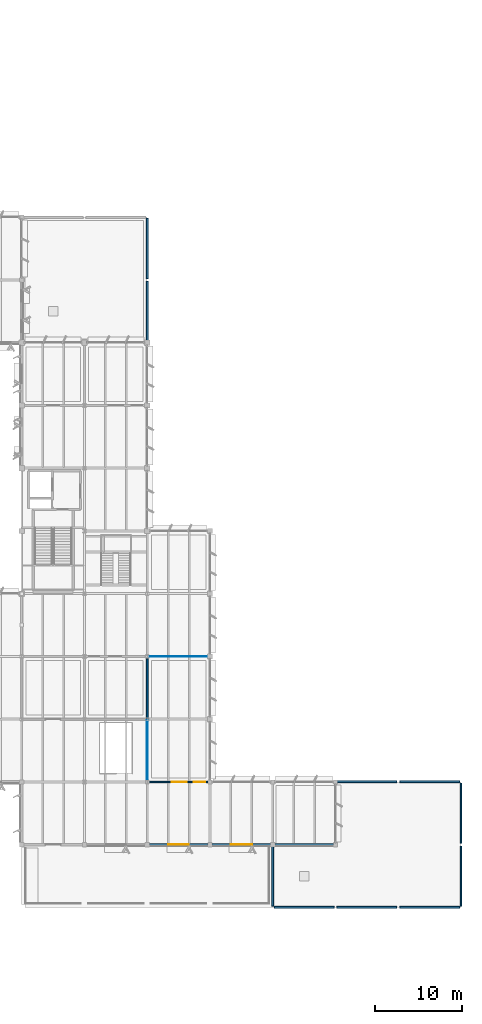
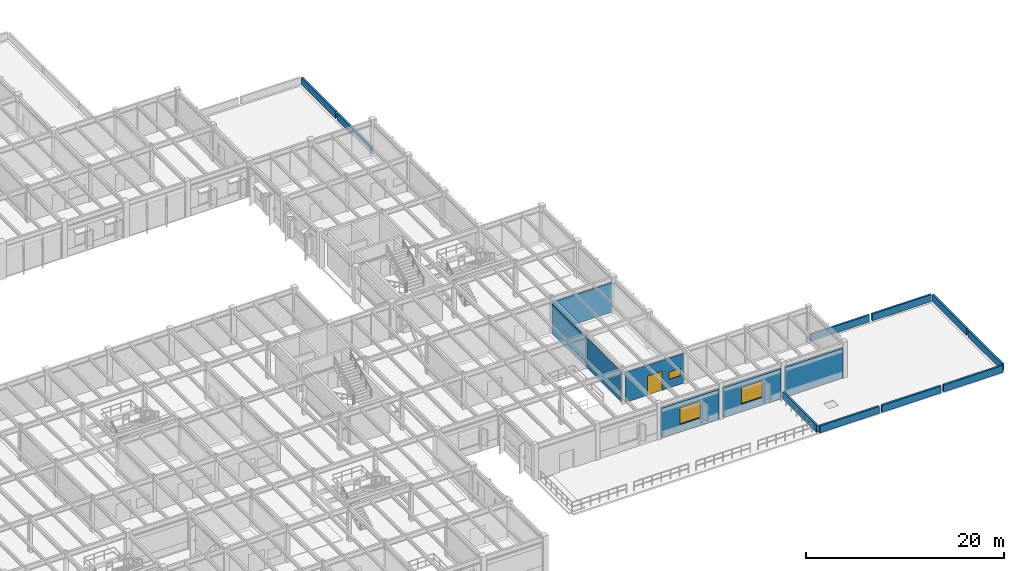
# One storey, part 42 of 92: 17 walls, 3 windows, 1 door, 4 openings.
"""IFC4 building model written with IfcOpenShell, lengths in metres."""

from ifc_helpers import new_model, si_unit, direction, frame, frame_2d, origin, place, context, subcontext, project, spatial, rectangle, extrude, material, layer, layer_set, type_object, element, fill, save


model = new_model("IFC4")

# Units and contexts
model_context = context("Model", 3, precision=1e-05, world=origin(), true_north=direction((0.0, 1.0)))
body_context = subcontext(model_context, "Body", "Model", "MODEL_VIEW")
ifc_project = project(units=[si_unit("LENGTHUNIT", "METRE"), si_unit("AREAUNIT", "SQUARE_METRE"), si_unit("VOLUMEUNIT", "CUBIC_METRE"), si_unit("PLANEANGLEUNIT", "RADIAN"), si_unit("MASSUNIT", "GRAM", prefix="KILO")], contexts=[model_context])

# Site, building, storey
site_placement = place(None, origin())
site = spatial("IfcSite", under=ifc_project, at=site_placement, CompositionType="ELEMENT")
building_placement = place(site_placement, origin())
building = spatial("IfcBuilding", under=site, at=building_placement, Name="Sillqori Civic Hall", CompositionType="ELEMENT")
storey_placement = place(building_placement, frame((0.0, 0.0, 5.39990234375)))
storey = spatial("IfcBuildingStorey", under=building, at=storey_placement, Name="L02", CompositionType="ELEMENT", Elevation=5.39990234375)

# Wall, opening, window
ifc_material_1 = material(Name="Precast concrete C40/50 (H40)", Category="concrete")
ifc_layer_1 = layer(ifc_material_1, 0.300048828125)
ifc_layer_set_1 = layer_set([ifc_layer_1], Name="Precast concrete C40/50 (H40)")
wall_type_1 = type_object("IfcWallType", Name="EW-LIME-300", PredefinedType="SOLIDWALL", material=ifc_layer_set_1)
wall_1_placement = place(storey_placement, frame((143.75, 21.60009765625, 0.0), z_axis=(0.0, 0.0, 1.0), x_axis=(-1.0, 0.0, 0.0)))
wall_1 = element("IfcWall", 1, at=wall_1_placement, inside=storey, type_object=wall_type_1, Name="L02 V3 exterior wall L02-19-03-S", PredefinedType="SOLIDWALL", context=body_context, shape_type="SweptSolid", body=[
    extrude(rectangle(XDim=6.699951171875, YDim=0.300048828125, at=frame_2d((3.35009765625, 0.0))), origin(), (0.0, 0.0, 1.0), 3.68798828125),
])
opening_1_placement = place(wall_1_placement, frame((2.175048828125, 0.0, 0.949951171875)))
opening_1 = element("IfcOpeningElement", 2, at=opening_1_placement, cuts=wall_1, Name="Opening W-39", PredefinedType="OPENING", context=body_context, shape_type="SweptSolid", body=[
    extrude(rectangle(XDim=2.35009765625, YDim=2.050048828125, at=frame_2d((1.175048828125, 1.02490234375))), frame((0.0, 0.159912109375, 0.0), z_axis=(0.0, -1.0, 0.0), x_axis=(1.0, 0.0, 0.0)), (0.0, 0.0, 1.0), 0.320068359375),
])
ifc_material_2 = material(Name="Thermally Broken Aluminium Low-E Window", Category="aluminium")
window_type_1 = type_object("IfcWindowType", Name="WIN-GD-235X205", PartitioningType="SINGLE_PANEL", PredefinedType="WINDOW", material=ifc_material_2)
window_1_placement = place(opening_1_placement, origin())
window_1 = element("IfcWindow", 3, at=window_1_placement, inside=storey, type_object=window_type_1, Name="L02 V3 window L02-19-03-S.1", OverallHeight=2.050048828125, OverallWidth=2.35009765625, PartitioningType="SINGLE_PANEL", PredefinedType="WINDOW", context=body_context, shape_type="SweptSolid", body=[
    extrude(rectangle(XDim=2.35009765625, YDim=2.050048828125, at=frame_2d((1.175048828125, 1.02490234375))), frame((0.0, 0.030029296875, 0.0), z_axis=(0.0, -1.0, 0.0), x_axis=(1.0, 0.0, 0.0)), (0.0, 0.0, 1.0), 0.06005859375),
])
fill(opening_1, window_1)

wall_2_placement = place(storey_placement, frame((150.949951171875, 21.60009765625, 0.0), z_axis=(0.0, 0.0, 1.0), x_axis=(-1.0, 0.0, 0.0)))
wall_2 = element("IfcWall", 4, at=wall_2_placement, inside=storey, type_object=wall_type_1, Name="L02 V3 exterior wall L02-20-03-S", PredefinedType="SOLIDWALL", context=body_context, shape_type="SweptSolid", body=[
    extrude(rectangle(XDim=6.699951171875, YDim=0.300048828125, at=frame_2d((3.35009765625, 0.0))), origin(), (0.0, 0.0, 1.0), 3.68798828125),
])
opening_2_placement = place(wall_2_placement, frame((2.125, 0.0, 0.949951171875)))
opening_2 = element("IfcOpeningElement", 5, at=opening_2_placement, cuts=wall_2, Name="Opening W-40", PredefinedType="OPENING", context=body_context, shape_type="SweptSolid", body=[
    extrude(rectangle(XDim=2.449951171875, YDim=2.050048828125, at=frame_2d((1.22509765625, 1.02490234375))), frame((0.0, 0.159912109375, 0.0), z_axis=(0.0, -1.0, 0.0), x_axis=(1.0, 0.0, 0.0)), (0.0, 0.0, 1.0), 0.320068359375),
])
window_type_2 = type_object("IfcWindowType", Name="WIN-GD-245X205", PartitioningType="SINGLE_PANEL", PredefinedType="WINDOW", material=ifc_material_2)
window_2_placement = place(opening_2_placement, origin())
window_2 = element("IfcWindow", 6, at=window_2_placement, inside=storey, type_object=window_type_2, Name="L02 V3 window L02-20-03-S.1", OverallHeight=2.050048828125, OverallWidth=2.449951171875, PartitioningType="SINGLE_PANEL", PredefinedType="WINDOW", context=body_context, shape_type="SweptSolid", body=[
    extrude(rectangle(XDim=2.449951171875, YDim=2.050048828125, at=frame_2d((1.22509765625, 1.02490234375))), frame((0.0, 0.030029296875, 0.0), z_axis=(0.0, -1.0, 0.0), x_axis=(1.0, 0.0, 0.0)), (0.0, 0.0, 1.0), 0.06005859375),
])
fill(opening_2, window_2)

# Walls
wall_3_placement = place(storey_placement, frame((158.14990234375, 21.60009765625, 0.0), z_axis=(0.0, 0.0, 1.0), x_axis=(-1.0, 0.0, 0.0)))
element("IfcWall", 7, at=wall_3_placement, inside=storey, type_object=wall_type_1, Name="L02 V3 exterior wall L02-21-03-S", PredefinedType="SOLIDWALL", context=body_context, shape_type="SweptSolid", body=[
    extrude(rectangle(XDim=6.699951171875, YDim=0.300048828125, at=frame_2d((3.35009765625, 0.0))), origin(), (0.0, 0.0, 1.0), 3.68798828125),
])
ifc_material_3 = material(Name="Acoustic Steel-Stud Gypsum Partition 100", Category="steel")
ifc_layer_2 = layer(ifc_material_3, 0.10009765625)
ifc_layer_set_2 = layer_set([ifc_layer_2], Name="Acoustic Steel-Stud Gypsum Partition 100")
wall_type_2 = type_object("IfcWallType", Name="PT-GYP-100", PredefinedType="PARTITIONING", material=ifc_layer_set_2)
for number, where, z_axis, x_axis, name in (
    (8, (137.080078125, 43.199951171875, 0.0), (0.0, 0.0, 1.0), (1.0, 0.0, 0.0), "Members Library Main Reading Room L02-05 partition N2"),
    (9, (136.800048828125, 29.080078125, 0.0), (0.0, 0.0, 1.0), (0.0, 1.0, 0.0), "Members Library Main Reading Room L02-05 partition W3"),
):
    element("IfcWall", number, at=place(storey_placement, frame(where, z_axis=z_axis, x_axis=x_axis)), inside=storey, type_object=wall_type_2, Name=name, PredefinedType="PARTITIONING", context=body_context, shape_type="SweptSolid", body=[
        extrude(rectangle(XDim=6.7998046875, YDim=0.10009765625, at=frame_2d((3.39990234375, 0.0))), origin(), (0.0, 0.0, 1.0), 3.677978515625),
    ])

# Wall, openings, door, window
ifc_material_4 = material(Name="Corridor Fire-Rated Partition 150", Category="gypsum")
ifc_layer_3 = layer(ifc_material_4, 0.14990234375)
ifc_layer_set_3 = layer_set([ifc_layer_3], Name="Corridor Fire-Rated Partition 150")
wall_type_3 = type_object("IfcWallType", Name="PT-GYP-150", PredefinedType="PARTITIONING", material=ifc_layer_set_3)
wall_4_placement = place(storey_placement, frame((143.8798828125, 28.800048828125, 0.0), z_axis=(0.0, 0.0, 1.0), x_axis=(-1.0, 0.0, 0.0)))
wall_4 = element("IfcWall", 10, at=wall_4_placement, inside=storey, type_object=wall_type_3, Name="Members Library Main Reading Room L02-05 partition S1", PredefinedType="PARTITIONING", context=body_context, shape_type="SweptSolid", body=[
    extrude(rectangle(XDim=6.7998046875, YDim=0.14990234375, at=frame_2d((3.39990234375, 0.0))), origin(), (0.0, 0.0, 1.0), 3.677978515625),
])
opening_3_placement = place(wall_4_placement, frame((2.56005859375, 0.0, 0.0)))
opening_3 = element("IfcOpeningElement", 11, at=opening_3_placement, cuts=wall_4, Name="Opening ID-09", PredefinedType="OPENING", context=body_context, shape_type="SweptSolid", body=[
    extrude(rectangle(XDim=1.679931640625, YDim=2.35009765625, at=frame_2d((0.83984375, 1.175048828125))), frame((0.0, 0.0849609375, 0.0), z_axis=(0.0, -1.0, 0.0), x_axis=(1.0, 0.0, 0.0)), (0.0, 0.0, 1.0), 0.169921875),
])
opening_4_placement = place(wall_4_placement, frame((0.449951171875, 0.0, 1.050048828125)))
opening_4 = element("IfcOpeningElement", 12, at=opening_4_placement, cuts=wall_4, Name="Opening IW-27", PredefinedType="OPENING", context=body_context, shape_type="SweptSolid", body=[
    extrude(rectangle(XDim=1.320068359375, YDim=0.919921875, at=frame_2d((0.66015625, 0.4599609375))), frame((0.0, 0.0849609375, 0.0), z_axis=(0.0, -1.0, 0.0), x_axis=(1.0, 0.0, 0.0)), (0.0, 0.0, 1.0), 0.169921875),
])
ifc_material_5 = material(Name="Library Reading Room Acoustic Door", Category="timber")
door_type = type_object("IfcDoorType", Name="IDR-LIB-168X235", OperationType="NOTDEFINED", PredefinedType="DOOR", material=ifc_material_5)
door_placement = place(opening_3_placement, origin())
door = element("IfcDoor", 13, at=door_placement, inside=storey, type_object=door_type, Name="Members Library Main Reading Room L02-05 entrance door", OperationType="DOUBLE_DOOR_SINGLE_SWING", OverallHeight=2.35009765625, OverallWidth=1.679931640625, PredefinedType="DOOR", context=body_context, shape_type="SweptSolid", body=[
    extrude(rectangle(XDim=1.679931640625, YDim=2.35009765625, at=frame_2d((0.83984375, 1.175048828125))), frame((0.0, 0.02490234375, 0.0), z_axis=(0.0, -1.0, 0.0), x_axis=(1.0, 0.0, 0.0)), (0.0, 0.0, 1.0), 0.050048828125),
])
fill(opening_3, door)
ifc_material_6 = material(Name="Acoustic Laminated Interior Clerestory Glazing", Category="glass")
window_type_3 = type_object("IfcWindowType", Name="IWN-GAL-132X092", PartitioningType="SINGLE_PANEL", PredefinedType="WINDOW", material=ifc_material_6)
window_3_placement = place(opening_4_placement, origin())
window_3 = element("IfcWindow", 14, at=window_3_placement, inside=storey, type_object=window_type_3, Name="Members Library Main Reading Room L02-05 borrowed-light screen", OverallHeight=0.919921875, OverallWidth=1.320068359375, PartitioningType="SINGLE_PANEL", PredefinedType="WINDOW", context=body_context, shape_type="SweptSolid", body=[
    extrude(rectangle(XDim=1.320068359375, YDim=0.919921875, at=frame_2d((0.66015625, 0.4599609375))), frame((0.0, 0.030029296875, 0.0), z_axis=(0.0, -1.0, 0.0), x_axis=(1.0, 0.0, 0.0)), (0.0, 0.0, 1.0), 0.06005859375),
])
fill(opening_4, window_3)

# Walls
ifc_material_7 = material(Name="Concrete C25/30 (H25)", Category="concrete")
ifc_layer_4 = layer(ifc_material_7, 0.2119140625)
ifc_layer_set_4 = layer_set([ifc_layer_4], Name="Concrete C25/30 (H25)")
wall_type_4 = type_object("IfcWallType", Name="PT-MAS-212", PredefinedType="PARTITIONING", material=ifc_layer_set_4)
wall_5_placement = place(storey_placement, frame((136.800048828125, 42.919921875, 0.0), z_axis=(0.0, 0.0, 1.0), x_axis=(0.0, -1.0, 0.0)))
element("IfcWall", 15, at=wall_5_placement, inside=storey, type_object=wall_type_4, Name="Library Open Book Stacks South partition E4", PredefinedType="PARTITIONING", context=body_context, shape_type="SweptSolid", body=[
    extrude(rectangle(XDim=6.7998046875, YDim=0.2119140625, at=frame_2d((3.39990234375, 0.0))), origin(), (0.0, 0.0, 1.0), 3.677978515625),
])
ifc_layer_5 = layer(ifc_material_1, 0.219970703125)
ifc_layer_set_5 = layer_set([ifc_layer_5], Name="Precast concrete C40/50 (H40)")
wall_type_5 = type_object("IfcWallType", Name="WP-PAR-220", PredefinedType="PARAPET", material=ifc_layer_set_5)
for number, where, z_axis, x_axis, name in (
    (16, (165.75, 28.800048828125, 0.0), (0.0, 0.0, 1.0), (1.0, 0.0, 0.0), "L02 roof parapet 00"),
    (17, (172.800048828125, 28.64990234375, 0.0), (0.0, 0.0, 1.0), (0.0, -1.0, 0.0), "L02 roof parapet 01"),
    (18, (172.800048828125, 21.449951171875, 0.0), (0.0, 0.0, 1.0), (0.0, -1.0, 0.0), "L02 roof parapet 02"),
    (19, (172.64990234375, 14.39990234375, 0.0), (0.0, 0.0, 1.0), (-1.0, 0.0, 0.0), "L02 roof parapet 03"),
    (20, (165.449951171875, 14.39990234375, 0.0), (0.0, 0.0, 1.0), (-1.0, 0.0, 0.0), "L02 roof parapet 04"),
    (21, (158.25, 14.39990234375, 0.0), (0.0, 0.0, 1.0), (-1.0, 0.0, 0.0), "L02 roof parapet 05"),
    (22, (151.199951171875, 14.550048828125, 0.0), (0.0, 0.0, 1.0), (0.0, 1.0, 0.0), "L02 roof parapet 06"),
    (23, (158.550048828125, 28.800048828125, 0.0), (0.0, 0.0, 1.0), (1.0, 0.0, 0.0), "L02 roof parapet 09"),
    (24, (136.800048828125, 93.449951171875, 0.0), (0.0, 0.0, 1.0), (0.0, -1.0, 0.0), "L02 roof parapet 01"),
    (25, (136.800048828125, 86.25, 0.0), (0.0, 0.0, 1.0), (0.0, -1.0, 0.0), "L02 roof parapet 02"),
):
    element("IfcWall", number, at=place(storey_placement, frame(where, z_axis=z_axis, x_axis=x_axis)), inside=storey, type_object=wall_type_5, Name=name, PredefinedType="PARAPET", context=body_context, shape_type="SweptSolid", body=[
        extrude(rectangle(XDim=6.89990234375, YDim=0.219970703125, at=frame_2d((3.449951171875, 0.0))), origin(), (0.0, 0.0, 1.0), 0.85009765625),
    ])

save(model, "model.ifc")
